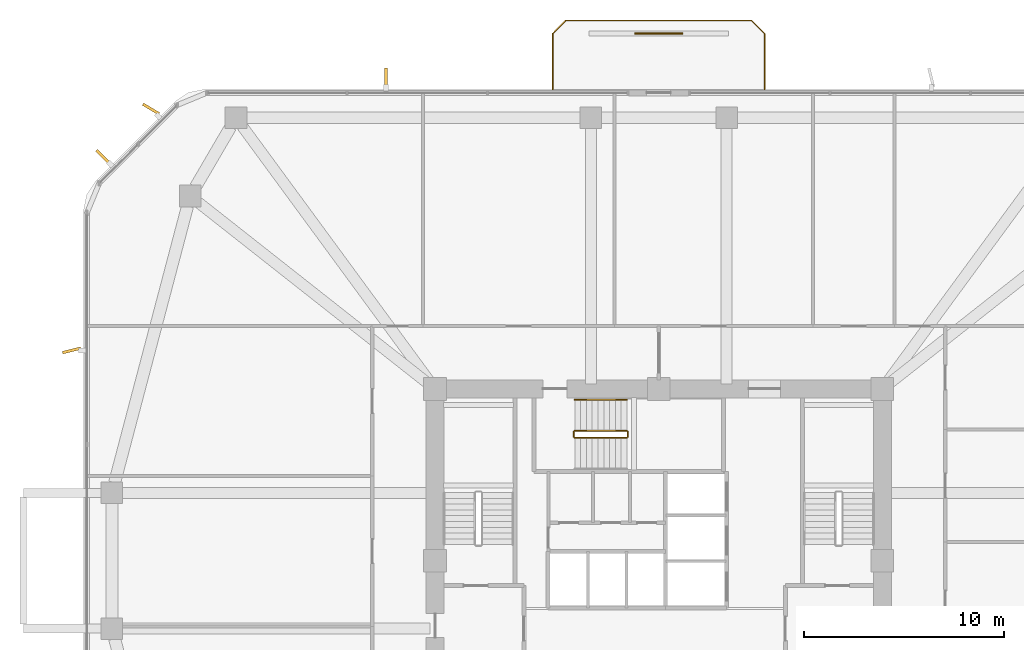
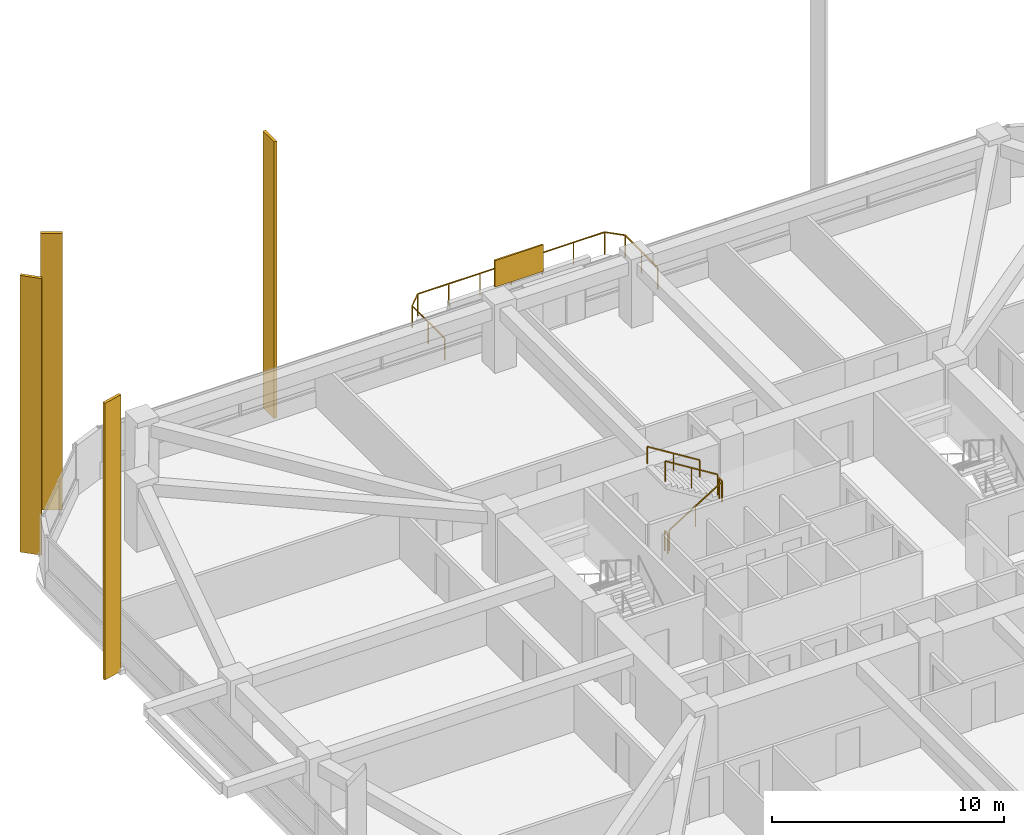
# One storey, part 16 of 17: 6 railings, 5 shading devices.
"""IFC4 building model written with IfcOpenShell, lengths in metres."""

from ifc_helpers import new_model, si_unit, derived_unit, direction, frame, origin, origin_2d, place, context, subcontext, project, spatial, rectangle, extrude, material, layer, layer_set, type_object, element, save


model = new_model("IFC4")

# Units and contexts
model_context = context("Model", 3, precision=1e-05, world=origin(), true_north=direction((0.0, 1.0)))
body_context = subcontext(model_context, "Body", "Model", "MODEL_VIEW")
ifc_project = project(units=[si_unit("LENGTHUNIT", "METRE"), si_unit("AREAUNIT", "SQUARE_METRE"), si_unit("VOLUMEUNIT", "CUBIC_METRE"), si_unit("PLANEANGLEUNIT", "RADIAN"), si_unit("MASSUNIT", "GRAM", prefix="KILO"), derived_unit("THERMALTRANSMITTANCEUNIT", [(si_unit("POWERUNIT", "WATT"), 1), (si_unit("LENGTHUNIT", "METRE"), -2), (si_unit("THERMODYNAMICTEMPERATUREUNIT", "KELVIN"), -1)])], contexts=[model_context])

# Site, building, storey
site_placement = place(None, origin())
site = spatial("IfcSite", under=ifc_project, at=site_placement, CompositionType="ELEMENT")
building_placement = place(site_placement, origin())
building = spatial("IfcBuilding", under=site, at=building_placement, Name="Koralith Skygarden Medical Center", CompositionType="ELEMENT")
storey_placement = place(building_placement, frame((0.0, 0.0, 23.93994140625)))
storey = spatial("IfcBuildingStorey", under=building, at=storey_placement, Name="L05", CompositionType="ELEMENT", Elevation=23.93994140625)

# Shading devices
ifc_material_1 = material(Name="Aluminium 6063-T6", Category="aluminium")
shading_device_type_1 = type_object("IfcShadingDeviceType", Name="Limestone-Clad Solar Storm Fin 950", PredefinedType="USERDEFINED", material=ifc_material_1)
for number, where, z_axis, x_axis, name in (
    (1, (23.35009765625, 50.094970703125, -0.2001953125), (0.0, 0.0, 1.0), (-0.000383972426, 0.999999926283, 0.0), "L05 N Harmonic Solar Storm Fin 2"),
    (2, (11.577880859375, 48.52001953125, -0.2001953125), (0.0, 0.0, 1.0), (-0.857167300702, 0.51503807491, 0.0), "L05 NW Harmonic Solar Storm Fin 1"),
    (3, (9.179931640625, 46.1220703125, -0.2001953125), (0.0, 0.0, 1.0), (-0.707378238567, 0.706835219554, 0.0), "L05 NW Harmonic Solar Storm Fin 2"),
    (4, (7.60498046875, 36.429931640625, -0.2001953125), (0.0, 0.0, 1.0), (-0.970295726276, -0.2419218956, 0.0), "L05 W Harmonic Solar Storm Fin 1"),
):
    element("IfcShadingDevice", number, at=place(storey_placement, frame(where, z_axis=z_axis, x_axis=x_axis)), inside=storey, type_object=shading_device_type_1, Name=name, ObjectType="SOLAR FIN", PredefinedType="USERDEFINED", context=body_context, shape_type="SweptSolid", body=[
        extrude(rectangle(XDim=0.949951171875, YDim=0.139892578125, at=origin_2d()), origin(), (0.0, 0.0, 1.0), 14.550048828125),
    ])

# Railing
ifc_material_2 = material(Name="Steel ASTM A500 Grade C", Category="steel")
railing_type_1 = type_object("IfcRailingType", Name="Outdoor Terrace & Balcony Safety Guardrail 1180", PredefinedType="GUARDRAIL", material=ifc_material_2)
railing_1_placement = place(storey_placement, frame((42.300048828125, 49.5, 0.0)))
element("IfcRailing", 5, at=railing_1_placement, inside=storey, type_object=railing_type_1, Name="L05 N Balcony Perimeter Guardrail", PredefinedType="GUARDRAIL", context=body_context, shape_type="SweptSolid", body=[
    extrude(rectangle(XDim=0.050048828125, YDim=0.050048828125, at=origin_2d()), frame((0.0, 0.001953125, 1.15478515625), z_axis=(0.0, 1.0, 0.0), x_axis=(-1.0, 0.0, 0.0)), (0.0, 0.0, 1.0), 2.796142578125),
    extrude(rectangle(XDim=0.050048828125, YDim=0.050048828125, at=origin_2d()), frame((-0.00146484375, 2.801513671875, 1.15478515625), z_axis=(-0.707239558722, 0.706973978714, 0.0), x_axis=(-0.706973978714, -0.707239558722, 0.0)), (0.0, 0.0, 1.0), 0.915283203125),
    extrude(rectangle(XDim=0.050048828125, YDim=0.050048828125, at=origin_2d()), frame((-0.652099609375, 3.449951171875, 1.15478515625), z_axis=(-1.0, 0.0, 0.0), x_axis=(0.0, -1.0, 0.0)), (0.0, 0.0, 1.0), 9.2958984375),
    extrude(rectangle(XDim=0.050048828125, YDim=0.050048828125, at=origin_2d()), frame((-9.951416015625, 3.448486328125, 1.15478515625), z_axis=(-0.707239558722, -0.706973978714, 0.0), x_axis=(0.706973978714, -0.707239558722, 0.0)), (0.0, 0.0, 1.0), 0.915283203125),
    extrude(rectangle(XDim=0.050048828125, YDim=0.050048828125, at=origin_2d()), frame((-10.60009765625, 2.798095703125, 1.15478515625), z_axis=(0.0, -1.0, 0.0), x_axis=(1.0, 0.0, 0.0)), (0.0, 0.0, 1.0), 2.796142578125),
    extrude(rectangle(XDim=0.0419921875, YDim=0.0419921875, at=origin_2d()), origin(), (0.0, 0.0, 1.0), 1.1279296875),
    extrude(rectangle(XDim=0.0419921875, YDim=0.0419921875, at=origin_2d()), frame((0.0, 1.39990234375, 0.0)), (0.0, 0.0, 1.0), 1.1279296875),
    extrude(rectangle(XDim=0.0419921875, YDim=0.0419921875, at=origin_2d()), frame((0.0, 2.800048828125, 0.0)), (0.0, 0.0, 1.0), 1.1279296875),
    extrude(rectangle(XDim=0.0419921875, YDim=0.0419921875, at=origin_2d()), frame((-0.650146484375, 3.449951171875, 0.0)), (0.0, 0.0, 1.0), 1.1279296875),
    extrude(rectangle(XDim=0.0419921875, YDim=0.0419921875, at=origin_2d()), frame((-2.2001953125, 3.449951171875, 0.0)), (0.0, 0.0, 1.0), 1.1279296875),
    extrude(rectangle(XDim=0.0419921875, YDim=0.0419921875, at=origin_2d()), frame((-3.75, 3.449951171875, 0.0)), (0.0, 0.0, 1.0), 1.1279296875),
    extrude(rectangle(XDim=0.0419921875, YDim=0.0419921875, at=origin_2d()), frame((-5.300048828125, 3.449951171875, 0.0)), (0.0, 0.0, 1.0), 1.1279296875),
    extrude(rectangle(XDim=0.0419921875, YDim=0.0419921875, at=origin_2d()), frame((-6.85009765625, 3.449951171875, 0.0)), (0.0, 0.0, 1.0), 1.1279296875),
    extrude(rectangle(XDim=0.0419921875, YDim=0.0419921875, at=origin_2d()), frame((-8.39990234375, 3.449951171875, 0.0)), (0.0, 0.0, 1.0), 1.1279296875),
    extrude(rectangle(XDim=0.0419921875, YDim=0.0419921875, at=origin_2d()), frame((-9.949951171875, 3.449951171875, 0.0)), (0.0, 0.0, 1.0), 1.1279296875),
    extrude(rectangle(XDim=0.0419921875, YDim=0.0419921875, at=origin_2d()), frame((-10.60009765625, 2.800048828125, 0.0)), (0.0, 0.0, 1.0), 1.1279296875),
    extrude(rectangle(XDim=0.0419921875, YDim=0.0419921875, at=origin_2d()), frame((-10.60009765625, 1.39990234375, 0.0)), (0.0, 0.0, 1.0), 1.1279296875),
    extrude(rectangle(XDim=0.0419921875, YDim=0.0419921875, at=origin_2d()), frame((-10.60009765625, 0.0, 0.0)), (0.0, 0.0, 1.0), 1.1279296875),
])

# Shading device
ifc_layer = layer(ifc_material_1, 0.080078125)
ifc_layer_set = layer_set([ifc_layer], Name="Aluminium 6063-T6")
shading_device_type_2 = type_object("IfcShadingDeviceType", Name="Perforated Biophilic Balcony Trellis Screen", PredefinedType="USERDEFINED", material=ifc_layer_set)
shading_device_placement = place(storey_placement, frame((37.0, 52.300048828125, 0.72021484375), z_axis=(0.0, 0.0, 1.0), x_axis=(1.0, 0.0, 0.0)))
element("IfcShadingDevice", 6, at=shading_device_placement, inside=storey, type_object=shading_device_type_2, Name="L05 N Biophilic Balcony Trellis Screen", ObjectType="HURRICANE SCREEN", PredefinedType="USERDEFINED", context=body_context, shape_type="SweptSolid", body=[
    extrude(rectangle(XDim=2.39990234375, YDim=0.080078125, at=origin_2d()), origin(), (0.0, 0.0, 1.0), 1.39990234375),
])

# Railings
railing_type_2 = type_object("IfcRailingType", Name="Stair Flight Tubular Handrail 920", PredefinedType="HANDRAIL", material=ifc_material_2)
railing_2_placement = place(storey_placement, frame((35.409912109375, 33.949951171875, 1.97998046875)))
element("IfcRailing", 7, at=railing_2_placement, inside=storey, type_object=railing_type_2, Name="L05 ST3 stair handrail 2", PredefinedType="HANDRAIL", context=body_context, shape_type="SweptSolid", body=[
    extrude(rectangle(XDim=0.050048828125, YDim=0.050048828125, at=origin_2d()), frame((-0.001708984375, 0.0, 0.89599609375), z_axis=(-0.849610693518, 0.0, 0.52741034258), x_axis=(0.0, -1.0, 0.0)), (0.0, 0.0, 1.0), 3.06787109375),
    extrude(rectangle(XDim=0.0419921875, YDim=0.0419921875, at=origin_2d()), origin(), (0.0, 0.0, 1.0), 0.867919921875),
    extrude(rectangle(XDim=0.0419921875, YDim=0.0419921875, at=origin_2d()), frame((-1.304931640625, 0.0, 0.81005859375)), (0.0, 0.0, 1.0), 0.867919921875),
    extrude(rectangle(XDim=0.0419921875, YDim=0.0419921875, at=origin_2d()), frame((-2.60986328125, 0.0, 1.6201171875)), (0.0, 0.0, 1.0), 0.867919921875),
])
railing_type_3 = type_object("IfcRailingType", Name="Stair Well Safety Guardrail 1100", PredefinedType="GUARDRAIL", material=ifc_material_2)
railing_3_placement = place(storey_placement, frame((32.800048828125, 32.050048828125, 0.18017578125)))
element("IfcRailing", 8, at=railing_3_placement, inside=storey, type_object=railing_type_3, Name="L05 ST3 stair guard 1", PredefinedType="GUARDRAIL", context=body_context, shape_type="SweptSolid", body=[
    extrude(rectangle(XDim=0.050048828125, YDim=0.050048828125, at=origin_2d()), frame((0.001708984375, 0.0, 1.076171875), z_axis=(0.849646306263, 0.0, 0.527352969322), x_axis=(0.0, 1.0, 0.0)), (0.0, 0.0, 1.0), 3.067626953125),
    extrude(rectangle(XDim=0.0419921875, YDim=0.0419921875, at=origin_2d()), origin(), (0.0, 0.0, 1.0), 1.048095703125),
    extrude(rectangle(XDim=0.0419921875, YDim=0.0419921875, at=origin_2d()), frame((1.304931640625, 0.0, 0.81005859375)), (0.0, 0.0, 1.0), 1.048095703125),
    extrude(rectangle(XDim=0.0419921875, YDim=0.0419921875, at=origin_2d()), frame((2.60986328125, 0.0, 1.619873046875)), (0.0, 0.0, 1.0), 1.048095703125),
])
railing_4_placement = place(storey_placement, frame((35.4599609375, 32.10009765625, 1.800048828125)))
element("IfcRailing", 9, at=railing_4_placement, inside=storey, type_object=railing_type_3, Name="L05 ST3 stair guard 2", PredefinedType="GUARDRAIL", context=body_context, shape_type="SweptSolid", body=[
    extrude(rectangle(XDim=0.050048828125, YDim=0.050048828125, at=origin_2d()), frame((0.0, 0.001953125, 1.0751953125), z_axis=(0.0, 1.0, 0.0), x_axis=(-1.0, 0.0, 0.0)), (0.0, 0.0, 1.0), 0.24609375),
    extrude(rectangle(XDim=0.0419921875, YDim=0.0419921875, at=origin_2d()), origin(), (0.0, 0.0, 1.0), 1.048095703125),
    extrude(rectangle(XDim=0.0419921875, YDim=0.0419921875, at=origin_2d()), frame((0.0, 0.25, 0.0)), (0.0, 0.0, 1.0), 1.048095703125),
])
railing_5_placement = place(storey_placement, frame((35.409912109375, 32.39990234375, 1.97998046875)))
element("IfcRailing", 10, at=railing_5_placement, inside=storey, type_object=railing_type_3, Name="L05 ST3 stair guard 3", PredefinedType="GUARDRAIL", context=body_context, shape_type="SweptSolid", body=[
    extrude(rectangle(XDim=0.050048828125, YDim=0.050048828125, at=origin_2d()), frame((-0.001708984375, 0.0, 1.076171875), z_axis=(-0.849610693518, 0.0, 0.52741034258), x_axis=(0.0, -1.0, 0.0)), (0.0, 0.0, 1.0), 3.06787109375),
    extrude(rectangle(XDim=0.0419921875, YDim=0.0419921875, at=origin_2d()), origin(), (0.0, 0.0, 1.0), 1.048095703125),
    extrude(rectangle(XDim=0.0419921875, YDim=0.0419921875, at=origin_2d()), frame((-1.304931640625, 0.0, 0.81005859375)), (0.0, 0.0, 1.0), 1.048095703125),
    extrude(rectangle(XDim=0.0419921875, YDim=0.0419921875, at=origin_2d()), frame((-2.60986328125, 0.0, 1.6201171875)), (0.0, 0.0, 1.0), 1.048095703125),
])
railing_6_placement = place(storey_placement, frame((32.75, 32.10009765625, 0.0)))
element("IfcRailing", 11, at=railing_6_placement, inside=storey, type_object=railing_type_3, Name="L05 ST3 stair guard 4", PredefinedType="GUARDRAIL", context=body_context, shape_type="SweptSolid", body=[
    extrude(rectangle(XDim=0.050048828125, YDim=0.050048828125, at=origin_2d()), frame((0.0, 0.001953125, 1.0751953125), z_axis=(0.0, 1.0, 0.0), x_axis=(-1.0, 0.0, 0.0)), (0.0, 0.0, 1.0), 0.24609375),
    extrude(rectangle(XDim=0.0419921875, YDim=0.0419921875, at=origin_2d()), origin(), (0.0, 0.0, 1.0), 1.048095703125),
    extrude(rectangle(XDim=0.0419921875, YDim=0.0419921875, at=origin_2d()), frame((0.0, 0.25, 0.0)), (0.0, 0.0, 1.0), 1.048095703125),
])

save(model, "model.ifc")
